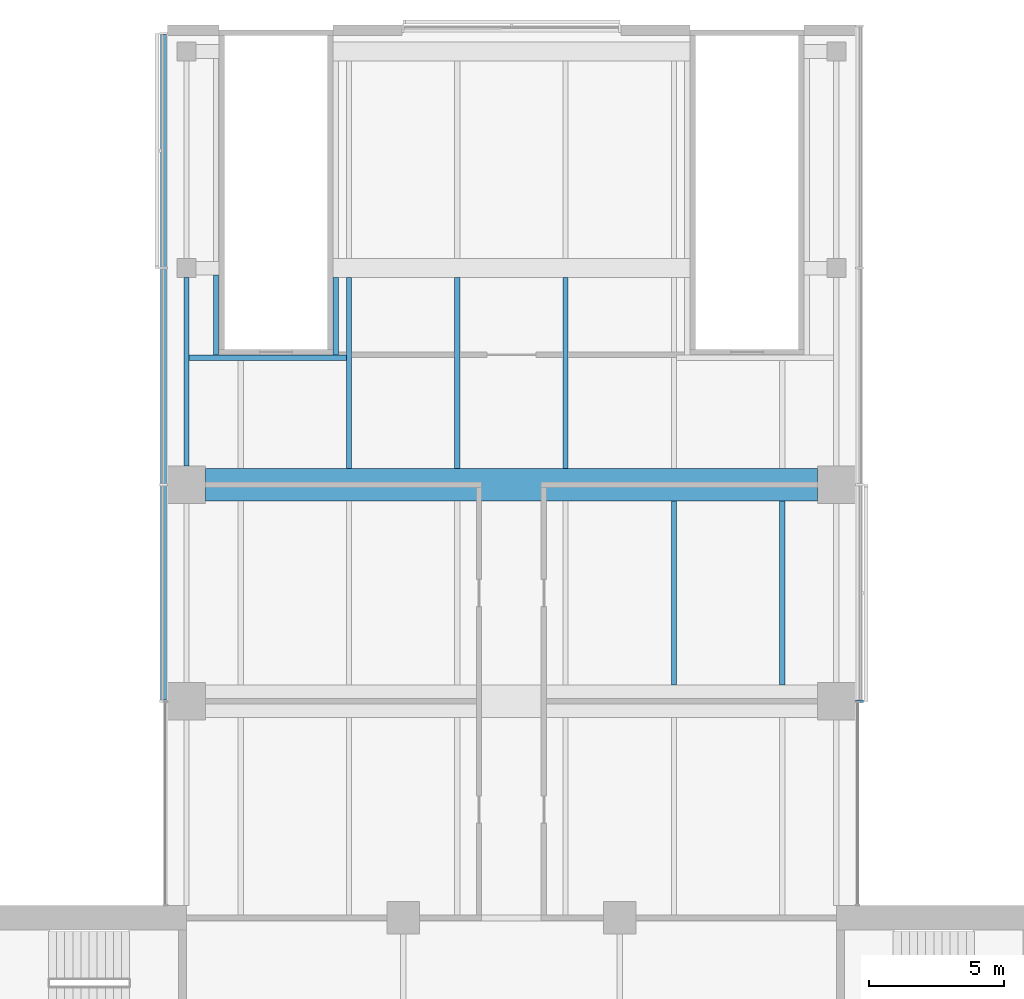
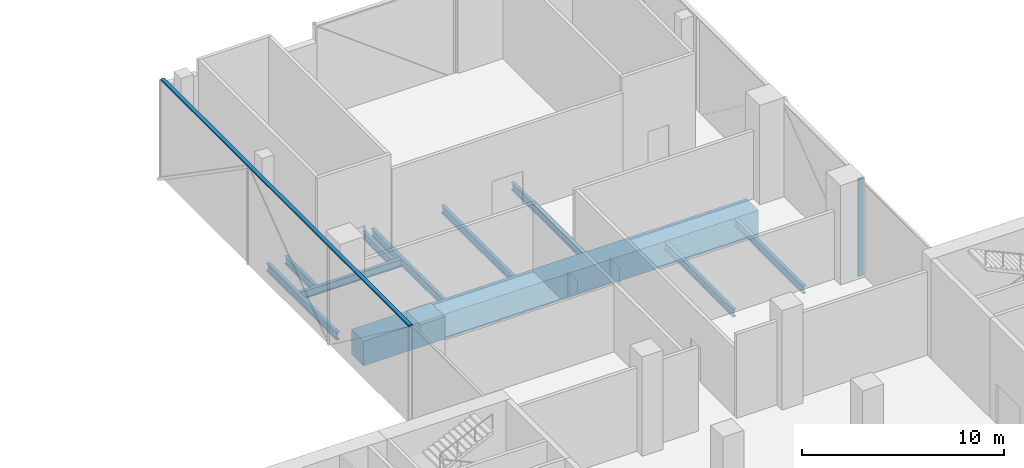
# One storey, part 9 of 23: 10 beams, 2 members, 2 elements without a shape of their own.
"""IFC4 building model written with IfcOpenShell, lengths in metres."""

from ifc_helpers import new_model, si_unit, direction, frame, origin, origin_2d, place, context, subcontext, project, spatial, rectangle, i_section, extrude, material, material_profile, profile_set, type_object, element, aggregate, save


model = new_model("IFC4")

# Units and contexts
model_context = context("Model", 3, precision=1e-05, world=origin(), true_north=direction((0.0, 1.0)))
body_context = subcontext(model_context, "Body", "Model", "MODEL_VIEW")
ifc_project = project(units=[si_unit("LENGTHUNIT", "METRE"), si_unit("AREAUNIT", "SQUARE_METRE"), si_unit("VOLUMEUNIT", "CUBIC_METRE"), si_unit("PLANEANGLEUNIT", "RADIAN"), si_unit("MASSUNIT", "GRAM", prefix="KILO")], contexts=[model_context])

# Site, building, storey
site_placement = place(None, origin())
site = spatial("IfcSite", under=ifc_project, at=site_placement, CompositionType="ELEMENT")
building_placement = place(site_placement, origin())
building = spatial("IfcBuilding", under=site, at=building_placement, Name="Crosswind Convention Tower", CompositionType="ELEMENT")
storey_placement = place(building_placement, frame((0.0, 0.0, 41.5)))
storey = spatial("IfcBuildingStorey", under=building, at=storey_placement, Name="L05", CompositionType="ELEMENT", Elevation=41.5)

# Beam
ifc_material_1 = material(Name="Steel S355", Category="steel")
ifc_material_profile_1 = material_profile(ifc_material_1, i_section(OverallWidth=0.19287109375, OverallDepth=0.467529296875, WebThickness=0.011474609375, FlangeThickness=0.01953125, FilletRadius=0.01025390625, at=origin_2d()), Name="UB 457x191x98")
ifc_profile_set_1 = profile_set([ifc_material_profile_1], Name="Steel S355")
beam_type_1 = type_object("IfcBeamType", Name="Edge beam UB 457x191x98", PredefinedType="SPANDREL", material=ifc_profile_set_1)
beam_1_placement = place(storey_placement, frame((113.0, 128.699951171875, -0.6337890625), z_axis=(0.0, 1.0, 0.0), x_axis=(-1.0, 0.0, 0.0)))
element("IfcBeam", 1, at=beam_1_placement, inside=storey, type_object=beam_type_1, Name="B20 L05 edge beam 11", PredefinedType="SPANDREL", context=body_context, shape_type="SweptSolid", body=[
    extrude(i_section(OverallWidth=0.19287109375, OverallDepth=0.467529296875, WebThickness=0.011474609375, FlangeThickness=0.01953125, FilletRadius=0.01025390625, at=origin_2d()), origin(), (0.0, 0.0, 1.0), 6.949951171875),
])

# Curtain wall, member
ifc_material_2 = material(Name="Aluminium unitised curtain wall", Category="aluminium")
curtain_wall_type = type_object("IfcCurtainWallType", Name="PODIUM UNITISED WALL 300", PredefinedType="USERDEFINED", material=ifc_material_2)
curtain_wall_1_placement = place(storey_placement, origin())
curtain_wall_1 = element("IfcCurtainWall", 2, at=curtain_wall_1_placement, inside=storey, type_object=curtain_wall_type, Name="CW1 L05 N-E 1", ObjectType="UNITISED", PredefinedType="USERDEFINED")
ifc_material_3 = material(Name="Aluminium mullion", Category="aluminium")
ifc_material_profile_2 = material_profile(ifc_material_3, rectangle(XDim=0.300048828125, YDim=0.080078125, at=origin_2d()), Name="AL 300X80")
ifc_profile_set_2 = profile_set([ifc_material_profile_2], Name="Aluminium mullion")
member_type_1 = type_object("IfcMemberType", Name="MULLION 80X300", PredefinedType="MULLION", material=ifc_profile_set_2)
member_1_placement = place(storey_placement, frame((137.85009765625, 120.0, -0.39990234375), z_axis=(0.0, 0.0, 1.0), x_axis=(1.0, 0.0, 0.0)))
member_1 = element("IfcMember", 3, at=member_1_placement, type_object=member_type_1, Name="CW1 mullion 1", PredefinedType="MULLION", context=body_context, shape_type="SweptSolid", body=[
    extrude(rectangle(XDim=0.300048828125, YDim=0.080078125, at=origin_2d()), origin(), (0.0, 0.0, 1.0), 5.919921875),
])
aggregate(curtain_wall_1, [member_1])

# Beams
ifc_material_4 = material(Name="Concrete C70/85", Category="concrete")
ifc_material_profile_3 = material_profile(ifc_material_4, rectangle(XDim=1.199951171875, YDim=1.5, at=origin_2d()), Name="RC 1200X1500")
ifc_profile_set_3 = profile_set([ifc_material_profile_3], Name="Concrete C70/85")
beam_type_2 = type_object("IfcBeamType", Name="Prestressed concrete girder RC 1200X1500", PredefinedType="BEAM", material=ifc_profile_set_3)
beam_2_placement = place(storey_placement, frame((113.699951171875, 128.0, -1.14990234375), z_axis=(1.0, 0.0, 0.0), x_axis=(0.0, 1.0, 0.0)))
element("IfcBeam", 4, at=beam_2_placement, inside=storey, type_object=beam_type_2, Name="B39 L05 prestressed concrete girder 4", PredefinedType="BEAM", context=body_context, shape_type="SweptSolid", body=[
    extrude(rectangle(XDim=1.199951171875, YDim=1.5, at=origin_2d()), origin(), (0.0, 0.0, 1.0), 22.60009765625),
])
ifc_material_profile_4 = material_profile(ifc_material_1, i_section(OverallWidth=0.19140625, OverallDepth=0.460205078125, WebThickness=0.010009765625, FlangeThickness=0.01611328125, FilletRadius=0.01025390625, at=origin_2d()), Name="UB 457x191x82")
ifc_profile_set_4 = profile_set([ifc_material_profile_4], Name="Steel S355")
beam_type_3 = type_object("IfcBeamType", Name="Secondary beam UB 457x191x82", PredefinedType="JOIST", material=ifc_profile_set_4)
for number, where, z_axis, x_axis, name in (
    (5, (119.0, 128.60009765625, -0.630126953125), (0.0, 1.0, 0.0), (-1.0, 0.0, 0.0), "B13 L05 secondary beam 26"),
    (6, (123.0, 128.60009765625, -0.630126953125), (0.0, 1.0, 0.0), (-1.0, 0.0, 0.0), "B13 L05 secondary beam 37"),
    (7, (127.0, 128.60009765625, -0.630126953125), (0.0, 1.0, 0.0), (-1.0, 0.0, 0.0), "B13 L05 secondary beam 45"),
):
    element("IfcBeam", number, at=place(storey_placement, frame(where, z_axis=z_axis, x_axis=x_axis)), inside=storey, type_object=beam_type_3, Name=name, PredefinedType="JOIST", context=body_context, shape_type="SweptSolid", body=[
        extrude(i_section(OverallWidth=0.19140625, OverallDepth=0.460205078125, WebThickness=0.010009765625, FlangeThickness=0.01611328125, FilletRadius=0.01025390625, at=origin_2d()), origin(), (0.0, 0.0, 1.0), 7.0498046875),
    ])
for number, where, z_axis, x_axis, name in (
    (8, (131.0, 120.60009765625, -0.630126953125), (0.0, 1.0, 0.0), (-1.0, 0.0, 0.0), "B13 L05 secondary beam 55"),
    (9, (135.0, 120.60009765625, -0.630126953125), (0.0, 1.0, 0.0), (-1.0, 0.0, 0.0), "B13 L05 secondary beam 62"),
):
    element("IfcBeam", number, at=place(storey_placement, frame(where, z_axis=z_axis, x_axis=x_axis)), inside=storey, type_object=beam_type_3, Name=name, PredefinedType="JOIST", context=body_context, shape_type="SweptSolid", body=[
        extrude(i_section(OverallWidth=0.19140625, OverallDepth=0.460205078125, WebThickness=0.010009765625, FlangeThickness=0.01611328125, FilletRadius=0.01025390625, at=origin_2d()), origin(), (0.0, 0.0, 1.0), 6.7998046875),
    ])

# Curtain wall, member
curtain_wall_2_placement = place(storey_placement, origin())
curtain_wall_2 = element("IfcCurtainWall", 10, at=curtain_wall_2_placement, inside=storey, type_object=curtain_wall_type, Name="CW1 L05 N-W 1", ObjectType="UNITISED", PredefinedType="USERDEFINED")
ifc_material_5 = material(Name="Aluminium transom", Category="aluminium")
ifc_material_profile_5 = material_profile(ifc_material_5, rectangle(XDim=0.219970703125, YDim=0.080078125, at=origin_2d()), Name="AL 220X80")
ifc_profile_set_5 = profile_set([ifc_material_profile_5], Name="Aluminium transom")
member_type_2 = type_object("IfcMemberType", Name="TRANSOM 80X220", PredefinedType="USERDEFINED", material=ifc_profile_set_5)
member_2_placement = place(storey_placement, frame((112.14990234375, 144.6201171875, 5.56005859375), z_axis=(0.0, -1.0, 0.0), x_axis=(1.0, 0.0, 0.0)))
member_2 = element("IfcMember", 11, at=member_2_placement, type_object=member_type_2, Name="CW1 transom", ObjectType="TRANSOM", PredefinedType="USERDEFINED", context=body_context, shape_type="SweptSolid", body=[
    extrude(rectangle(XDim=0.219970703125, YDim=0.080078125, at=origin_2d()), origin(), (0.0, 0.0, 1.0), 24.580078125),
])
aggregate(curtain_wall_2, [member_2])

# Beams
ifc_material_profile_6 = material_profile(ifc_material_1, i_section(OverallWidth=0.19189453125, OverallDepth=0.463623046875, WebThickness=0.010498046875, FlangeThickness=0.017578125, FilletRadius=0.01025390625, at=origin_2d()), Name="UB 457x191x90")
ifc_profile_set_6 = profile_set([ifc_material_profile_6], Name="Steel S355")
beam_type_4 = type_object("IfcBeamType", Name="Trimmer beam UB 457x191x90", PredefinedType="BEAM", material=ifc_profile_set_6)
beam_3_placement = place(storey_placement, frame((113.096435546875, 132.68994140625, -0.6318359375), z_axis=(1.0, 0.0, 0.0), x_axis=(0.0, 1.0, 0.0)))
element("IfcBeam", 12, at=beam_3_placement, inside=storey, type_object=beam_type_4, Name="B33 L05 trimmer beam 12", PredefinedType="BEAM", context=body_context, shape_type="SweptSolid", body=[
    extrude(i_section(OverallWidth=0.19189453125, OverallDepth=0.463623046875, WebThickness=0.010498046875, FlangeThickness=0.017578125, FilletRadius=0.01025390625, at=origin_2d()), origin(), (0.0, 0.0, 1.0), 5.807861328125),
])
beam_4_placement = place(storey_placement, frame((114.090087890625, 132.785888671875, -0.6318359375), z_axis=(0.0, 1.0, 0.0), x_axis=(-1.0, 0.0, 0.0)))
element("IfcBeam", 13, at=beam_4_placement, inside=storey, type_object=beam_type_4, Name="B33 L05 trimmer beam 15", PredefinedType="BEAM", context=body_context, shape_type="SweptSolid", body=[
    extrude(i_section(OverallWidth=0.19189453125, OverallDepth=0.463623046875, WebThickness=0.010498046875, FlangeThickness=0.017578125, FilletRadius=0.01025390625, at=origin_2d()), origin(), (0.0, 0.0, 1.0), 2.964111328125),
])
beam_5_placement = place(storey_placement, frame((118.510009765625, 132.785888671875, -0.6318359375), z_axis=(0.0, 1.0, 0.0), x_axis=(-1.0, 0.0, 0.0)))
element("IfcBeam", 14, at=beam_5_placement, inside=storey, type_object=beam_type_4, Name="B33 L05 trimmer beam 19", PredefinedType="BEAM", context=body_context, shape_type="SweptSolid", body=[
    extrude(i_section(OverallWidth=0.19189453125, OverallDepth=0.463623046875, WebThickness=0.010498046875, FlangeThickness=0.017578125, FilletRadius=0.01025390625, at=origin_2d()), origin(), (0.0, 0.0, 1.0), 2.864013671875),
])

save(model, "model.ifc")
